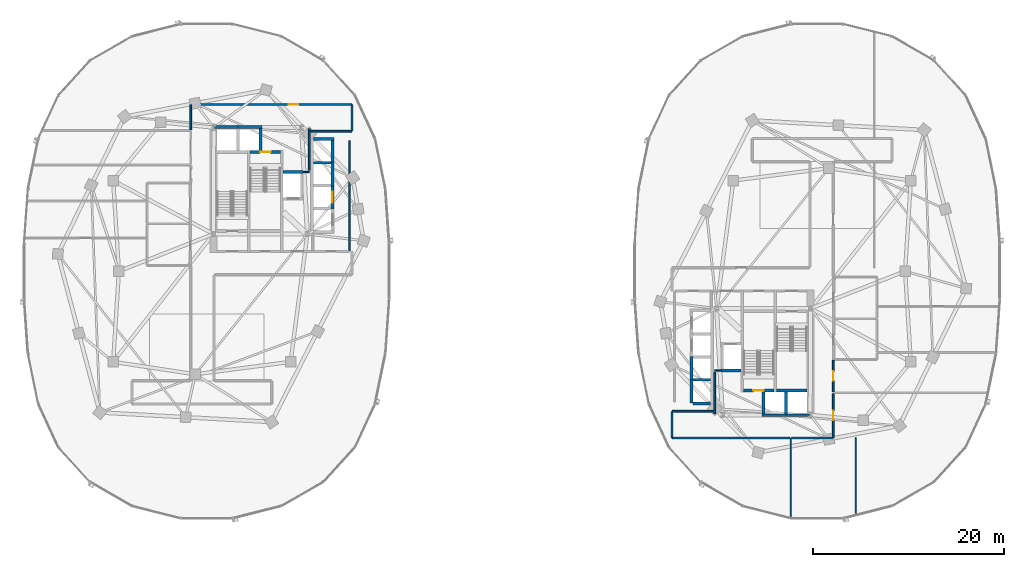
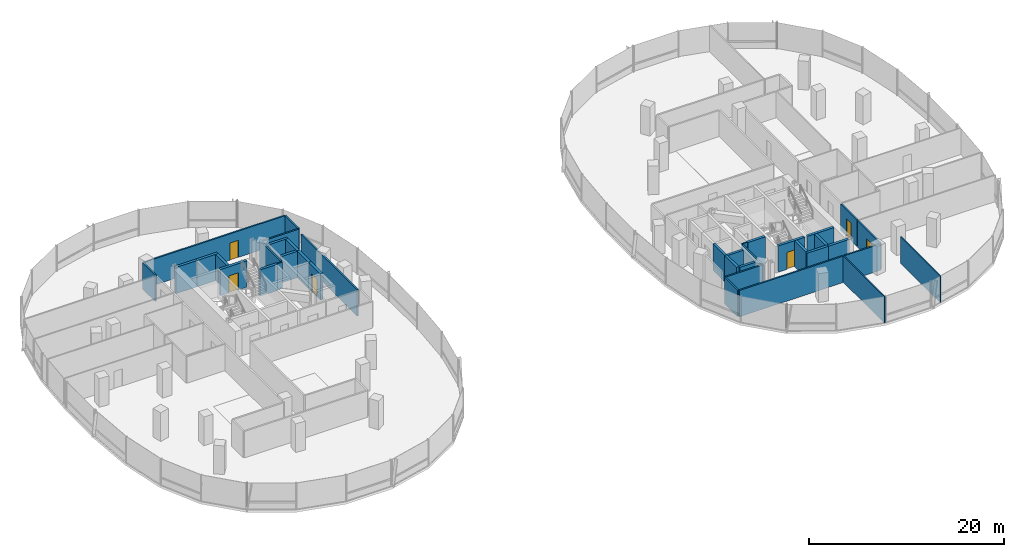
# One storey, part 12 of 21: 38 walls, 6 doors, 6 openings.
"""IFC4 building model written with IfcOpenShell, lengths in metres."""

from ifc_helpers import new_model, si_unit, direction, frame, frame_2d, origin, place, context, subcontext, project, spatial, rectangle, extrude, material, layer, layer_set, type_object, element, fill, save


model = new_model("IFC4")

# Units and contexts
model_context = context("Model", 3, precision=1e-05, world=origin(), true_north=direction((0.0, 1.0)))
body_context = subcontext(model_context, "Body", "Model", "MODEL_VIEW")
ifc_project = project(units=[si_unit("LENGTHUNIT", "METRE"), si_unit("AREAUNIT", "SQUARE_METRE"), si_unit("VOLUMEUNIT", "CUBIC_METRE"), si_unit("PLANEANGLEUNIT", "RADIAN"), si_unit("MASSUNIT", "GRAM", prefix="KILO"), si_unit("THERMODYNAMICTEMPERATUREUNIT", "KELVIN"), si_unit("POWERUNIT", "WATT")], contexts=[model_context])

# Site, building, storey
site_placement = place(None, origin())
site = spatial("IfcSite", under=ifc_project, at=site_placement, CompositionType="ELEMENT")
building_placement = place(site_placement, origin())
building = spatial("IfcBuilding", under=site, at=building_placement, Name="Cundina Bronze Exchange", CompositionType="ELEMENT")
storey_placement = place(building_placement, frame((0.0, 0.0, 81.800048828125)))
storey = spatial("IfcBuildingStorey", under=building, at=storey_placement, Name="L20", CompositionType="ELEMENT", Elevation=81.800048828125)

# Walls
ifc_material_1 = material(Name="Gypsum Fireboard Partition EI120")
ifc_layer_1 = layer(ifc_material_1, 0.179931640625, Name="Gypsum Fireboard Partition EI120")
ifc_layer_set_1 = layer_set([ifc_layer_1], Name="Gypsum Fireboard Partition EI120")
wall_type_1 = type_object("IfcWallType", Name="WL-COR-180", PredefinedType="PARTITIONING", material=ifc_layer_set_1)
wall_1_placement = place(storey_placement, frame((-17.02001953125, 2.169921875, 0.0), z_axis=(0.0, 0.0, 1.0), x_axis=(0.0, 1.0, 0.0)))
element("IfcWall", 1, at=wall_1_placement, inside=storey, type_object=wall_type_1, Name="L20 Interior Partition 001", PredefinedType="PARTITIONING", context=body_context, shape_type="SweptSolid", body=[
    extrude(rectangle(XDim=11.510009765625, YDim=0.179931640625, at=frame_2d((5.7548828125, 0.0))), origin(), (0.0, 0.0, 1.0), 3.300048828125),
])
wall_2_placement = place(storey_placement, frame((-21.25, 10.570068359375, 0.0), z_axis=(0.0, 0.0, 1.0), x_axis=(0.0, 1.0, 0.0)))
element("IfcWall", 2, at=wall_2_placement, inside=storey, type_object=wall_type_1, Name="L20 Interior Partition 004", PredefinedType="PARTITIONING", context=body_context, shape_type="SweptSolid", body=[
    extrude(rectangle(XDim=4.35986328125, YDim=0.179931640625, at=frame_2d((2.179931640625, 0.0))), origin(), (0.0, 0.0, 1.0), 3.300048828125),
])

# Wall, opening, door
wall_3_placement = place(storey_placement, frame((-16.821533203125, 17.469970703125, 0.0), z_axis=(0.0, 0.0, 1.0), x_axis=(-1.0, 0.0, 0.0)))
wall_3 = element("IfcWall", 3, at=wall_3_placement, inside=storey, type_object=wall_type_1, Name="L20 Interior Partition 018", PredefinedType="PARTITIONING", context=body_context, shape_type="SweptSolid", body=[
    extrude(rectangle(XDim=16.806884765625, YDim=0.179931640625, at=frame_2d((8.4033203125, 0.0))), origin(), (0.0, 0.0, 1.0), 3.300048828125),
])
opening_1_placement = place(wall_3_placement, frame((5.568603515625, 0.0, 0.0)))
opening_1 = element("IfcOpeningElement", 4, at=opening_1_placement, cuts=wall_3, Name="Opening DO-01", PredefinedType="OPENING", context=body_context, shape_type="SweptSolid", body=[
    extrude(rectangle(XDim=1.0, YDim=2.14990234375, at=frame_2d((0.5, 1.074951171875))), frame((0.0, 0.099853515625, 0.0), z_axis=(0.0, -1.0, 0.0), x_axis=(1.0, 0.0, 0.0)), (0.0, 0.0, 1.0), 0.199951171875),
])
ifc_material_2 = material(Name="Solid Andean Oak Timber Grade A", Category="wood")
door_type_1 = type_object("IfcDoorType", Name="DR-OFF-1000", OperationType="NOTDEFINED", PredefinedType="DOOR", material=ifc_material_2)
door_1_placement = place(opening_1_placement, origin())
door_1 = element("IfcDoor", 5, at=door_1_placement, inside=storey, type_object=door_type_1, Name="L20 Interior Door 018", OperationType="SINGLE_SWING_LEFT", OverallHeight=2.14990234375, OverallWidth=1.0, PredefinedType="DOOR", context=body_context, shape_type="SweptSolid", body=[
    extrude(rectangle(XDim=1.0, YDim=2.14990234375, at=frame_2d((0.5, 1.074951171875))), frame((0.0, 0.02490234375, 0.0), z_axis=(0.0, -1.0, 0.0), x_axis=(1.0, 0.0, 0.0)), (0.0, 0.0, 1.0), 0.050048828125),
])
fill(opening_1, door_1)

# Walls
wall_4_placement = place(storey_placement, frame((-21.178466796875, 14.679931640625, 0.0), z_axis=(0.0, 0.0, 1.0), x_axis=(1.0, 0.0, 0.0)))
element("IfcWall", 6, at=wall_4_placement, inside=storey, type_object=wall_type_1, Name="L20 Interior Partition 025", PredefinedType="PARTITIONING", context=body_context, shape_type="SweptSolid", body=[
    extrude(rectangle(XDim=4.35693359375, YDim=0.179931640625, at=frame_2d((2.178466796875, 0.0))), origin(), (0.0, 0.0, 1.0), 3.300048828125),
])
wall_5_placement = place(storey_placement, frame((-16.780029296875, 14.721435546875, 0.0), z_axis=(0.0, 0.0, 1.0), x_axis=(0.0, 1.0, 0.0)))
element("IfcWall", 7, at=wall_5_placement, inside=storey, type_object=wall_type_1, Name="L20 Interior Partition 026", PredefinedType="PARTITIONING", context=body_context, shape_type="SweptSolid", body=[
    extrude(rectangle(XDim=2.70703125, YDim=0.179931640625, at=frame_2d((1.353515625, 0.0))), origin(), (0.0, 0.0, 1.0), 3.300048828125),
])
wall_6_placement = place(storey_placement, frame((-33.669921875, 17.428466796875, 0.0), z_axis=(0.0, 0.0, 1.0), x_axis=(0.0, -1.0, 0.0)))
element("IfcWall", 8, at=wall_6_placement, inside=storey, type_object=wall_type_1, Name="L20 Interior Partition 027", PredefinedType="PARTITIONING", context=body_context, shape_type="SweptSolid", body=[
    extrude(rectangle(XDim=2.598388671875, YDim=0.179931640625, at=frame_2d((1.29931640625, 0.0))), origin(), (0.0, 0.0, 1.0), 3.300048828125),
])
wall_7_placement = place(storey_placement, frame((21.25, -14.929931640625, 0.0), z_axis=(0.0, 0.0, 1.0), x_axis=(0.0, 1.0, 0.0)))
element("IfcWall", 9, at=wall_7_placement, inside=storey, type_object=wall_type_1, Name="L20 Interior Partition 037", PredefinedType="PARTITIONING", context=body_context, shape_type="SweptSolid", body=[
    extrude(rectangle(XDim=4.35986328125, YDim=0.179931640625, at=frame_2d((2.179931640625, 0.0))), origin(), (0.0, 0.0, 1.0), 3.300048828125),
])

# Wall, opening, door
wall_8_placement = place(storey_placement, frame((33.669921875, -17.428466796875, 0.0), z_axis=(0.0, 0.0, 1.0), x_axis=(0.0, 1.0, 0.0)))
wall_8 = element("IfcWall", 10, at=wall_8_placement, inside=storey, type_object=wall_type_1, Name="L20 Interior Partition 054", PredefinedType="PARTITIONING", context=body_context, shape_type="SweptSolid", body=[
    extrude(rectangle(XDim=4.598388671875, YDim=0.179931640625, at=frame_2d((2.29931640625, 0.0))), origin(), (0.0, 0.0, 1.0), 3.300048828125),
])
opening_2_placement = place(wall_8_placement, frame((1.79931640625, 0.0, 0.0)))
opening_2 = element("IfcOpeningElement", 11, at=opening_2_placement, cuts=wall_8, Name="Opening DO-01", PredefinedType="OPENING", context=body_context, shape_type="SweptSolid", body=[
    extrude(rectangle(XDim=1.0, YDim=2.14990234375, at=frame_2d((0.5, 1.074951171875))), frame((0.0, 0.099853515625, 0.0), z_axis=(0.0, -1.0, 0.0), x_axis=(1.0, 0.0, 0.0)), (0.0, 0.0, 1.0), 0.199951171875),
])
door_2_placement = place(opening_2_placement, origin())
door_2 = element("IfcDoor", 12, at=door_2_placement, inside=storey, type_object=door_type_1, Name="L20 Interior Door 054", OperationType="SINGLE_SWING_RIGHT", OverallHeight=2.14990234375, OverallWidth=1.0, PredefinedType="DOOR", context=body_context, shape_type="SweptSolid", body=[
    extrude(rectangle(XDim=1.0, YDim=2.14990234375, at=frame_2d((0.5, 1.074951171875))), frame((0.0, 0.02490234375, 0.0), z_axis=(0.0, -1.0, 0.0), x_axis=(1.0, 0.0, 0.0)), (0.0, 0.0, 1.0), 0.050048828125),
])
fill(opening_2, door_2)

# Wall
wall_9_placement = place(storey_placement, frame((29.31005859375, -17.469970703125, 0.0), z_axis=(0.0, 0.0, 1.0), x_axis=(1.0, 0.0, 0.0)))
element("IfcWall", 13, at=wall_9_placement, inside=storey, type_object=wall_type_1, Name="L20 Interior Partition 055", PredefinedType="PARTITIONING", context=body_context, shape_type="SweptSolid", body=[
    extrude(rectangle(XDim=4.318359375, YDim=0.179931640625, at=frame_2d((2.1591796875, 0.0))), origin(), (0.0, 0.0, 1.0), 3.300048828125),
])

# Wall, opening, door
wall_10_placement = place(storey_placement, frame((33.669921875, -12.64990234375, 0.0), z_axis=(0.0, 0.0, 1.0), x_axis=(0.0, 1.0, 0.0)))
wall_10 = element("IfcWall", 14, at=wall_10_placement, inside=storey, type_object=wall_type_1, Name="L20 Interior Partition 056", PredefinedType="PARTITIONING", context=body_context, shape_type="SweptSolid", body=[
    extrude(rectangle(XDim=3.298583984375, YDim=0.179931640625, at=frame_2d((1.6494140625, 0.0))), origin(), (0.0, 0.0, 1.0), 3.300048828125),
])
opening_3_placement = place(wall_10_placement, frame((1.1494140625, 0.0, 0.0)))
opening_3 = element("IfcOpeningElement", 15, at=opening_3_placement, cuts=wall_10, Name="Opening DO-01", PredefinedType="OPENING", context=body_context, shape_type="SweptSolid", body=[
    extrude(rectangle(XDim=1.0, YDim=2.14990234375, at=frame_2d((0.5, 1.074951171875))), frame((0.0, 0.099853515625, 0.0), z_axis=(0.0, -1.0, 0.0), x_axis=(1.0, 0.0, 0.0)), (0.0, 0.0, 1.0), 0.199951171875),
])
door_3_placement = place(opening_3_placement, origin())
door_3 = element("IfcDoor", 16, at=door_3_placement, inside=storey, type_object=door_type_1, Name="L20 Interior Door 056", OperationType="SINGLE_SWING_RIGHT", OverallHeight=2.14990234375, OverallWidth=1.0, PredefinedType="DOOR", context=body_context, shape_type="SweptSolid", body=[
    extrude(rectangle(XDim=1.0, YDim=2.14990234375, at=frame_2d((0.5, 1.074951171875))), frame((0.0, 0.02490234375, 0.0), z_axis=(0.0, -1.0, 0.0), x_axis=(1.0, 0.0, 0.0)), (0.0, 0.0, 1.0), 0.050048828125),
])
fill(opening_3, door_3)

# Walls
wall_11_placement = place(storey_placement, frame((16.821533203125, -17.469970703125, 0.0), z_axis=(0.0, 0.0, 1.0), x_axis=(1.0, 0.0, 0.0)))
element("IfcWall", 17, at=wall_11_placement, inside=storey, type_object=wall_type_1, Name="L20 Interior Partition 059", PredefinedType="PARTITIONING", context=body_context, shape_type="SweptSolid", body=[
    extrude(rectangle(XDim=12.308349609375, YDim=0.179931640625, at=frame_2d((6.154296875, 0.0))), origin(), (0.0, 0.0, 1.0), 3.300048828125),
])
wall_12_placement = place(storey_placement, frame((21.178466796875, -14.679931640625, 0.0), z_axis=(0.0, 0.0, 1.0), x_axis=(-1.0, 0.0, 0.0)))
element("IfcWall", 18, at=wall_12_placement, inside=storey, type_object=wall_type_1, Name="L20 Interior Partition 062", PredefinedType="PARTITIONING", context=body_context, shape_type="SweptSolid", body=[
    extrude(rectangle(XDim=4.35693359375, YDim=0.179931640625, at=frame_2d((2.178466796875, 0.0))), origin(), (0.0, 0.0, 1.0), 3.300048828125),
])
wall_13_placement = place(storey_placement, frame((16.780029296875, -14.721435546875, 0.0), z_axis=(0.0, 0.0, 1.0), x_axis=(0.0, -1.0, 0.0)))
element("IfcWall", 19, at=wall_13_placement, inside=storey, type_object=wall_type_1, Name="L20 Interior Partition 063", PredefinedType="PARTITIONING", context=body_context, shape_type="SweptSolid", body=[
    extrude(rectangle(XDim=2.70703125, YDim=0.179931640625, at=frame_2d((1.353515625, 0.0))), origin(), (0.0, 0.0, 1.0), 3.300048828125),
])
ifc_material_3 = material(Name="Gypsum Acoustic Partition EI60")
ifc_layer_2 = layer(ifc_material_3, 0.125, Name="Gypsum Acoustic Partition EI60")
ifc_layer_set_2 = layer_set([ifc_layer_2], Name="Gypsum Acoustic Partition EI60")
wall_type_2 = type_object("IfcWallType", Name="WL-OFF-125", PredefinedType="PARTITIONING", material=ifc_layer_set_2)
wall_14_placement = place(storey_placement, frame((29.219970703125, -25.965576171875, 0.0), z_axis=(0.0, 0.0, 1.0), x_axis=(0.0, 1.0, 0.0)))
element("IfcWall", 20, at=wall_14_placement, inside=storey, type_object=wall_type_2, Name="L20 Interior Partition 052", PredefinedType="PARTITIONING", context=body_context, shape_type="SweptSolid", body=[
    extrude(rectangle(XDim=8.465576171875, YDim=0.125, at=frame_2d((4.23291015625, 0.0))), origin(), (0.0, 0.0, 1.0), 3.300048828125),
])
wall_15_placement = place(storey_placement, frame((36.02001953125, -25.652099609375, 0.0), z_axis=(0.0, 0.0, 1.0), x_axis=(0.0, 1.0, 0.0)))
element("IfcWall", 21, at=wall_15_placement, inside=storey, type_object=wall_type_2, Name="L20 Interior Partition 053", PredefinedType="PARTITIONING", context=body_context, shape_type="SweptSolid", body=[
    extrude(rectangle(XDim=8.18212890625, YDim=0.125, at=frame_2d((4.091064453125, 0.0))), origin(), (0.0, 0.0, 1.0), 3.300048828125),
])

# Wall, opening, door
ifc_material_4 = material(Name="Concrete C50/60", Category="concrete")
ifc_layer_3 = layer(ifc_material_4, 0.300048828125, Name="Concrete C50/60", Category="concrete")
ifc_layer_set_3 = layer_set([ifc_layer_3], Name="Concrete C50/60")
wall_type_3 = type_object("IfcWallType", Name="WL-SHFT-300", PredefinedType="SHEAR", material=ifc_layer_set_3)
wall_16_placement = place(storey_placement, frame((-27.43994140625, 12.5, 0.0), z_axis=(0.0, 0.0, 1.0), x_axis=(1.0, 0.0, 0.0)))
wall_16 = element("IfcWall", 22, at=wall_16_placement, inside=storey, type_object=wall_type_3, Name="L20 Stair W2 Landing Wall", PredefinedType="SHEAR", context=body_context, shape_type="SweptSolid", body=[
    extrude(rectangle(XDim=3.159912109375, YDim=0.300048828125, at=frame_2d((1.580078125, 0.0))), origin(), (0.0, 0.0, 1.0), 3.300048828125),
])
opening_4_placement = place(wall_16_placement, frame((1.030029296875, 0.0, 0.0)))
opening_4 = element("IfcOpeningElement", 23, at=opening_4_placement, cuts=wall_16, Name="Opening DS-01", PredefinedType="OPENING", context=body_context, shape_type="SweptSolid", body=[
    extrude(rectangle(XDim=1.10009765625, YDim=2.14990234375, at=frame_2d((0.550048828125, 1.074951171875))), frame((0.0, 0.159912109375, 0.0), z_axis=(0.0, -1.0, 0.0), x_axis=(1.0, 0.0, 0.0)), (0.0, 0.0, 1.0), 0.320068359375),
])
ifc_material_5 = material(Name="Steel ASTM A36 Painted", Category="steel")
door_type_2 = type_object("IfcDoorType", Name="DR-STR-1100", OperationType="NOTDEFINED", PredefinedType="DOOR", material=ifc_material_5)
door_4_placement = place(opening_4_placement, origin())
door_4 = element("IfcDoor", 24, at=door_4_placement, inside=storey, type_object=door_type_2, Name="L20 Smokeproof Stair W2 Door", OperationType="SINGLE_SWING_LEFT", OverallHeight=2.14990234375, OverallWidth=1.10009765625, PredefinedType="DOOR", context=body_context, shape_type="SweptSolid", body=[
    extrude(rectangle(XDim=1.10009765625, YDim=2.14990234375, at=frame_2d((0.550048828125, 1.074951171875))), frame((0.0, 0.02490234375, 0.0), z_axis=(0.0, -1.0, 0.0), x_axis=(1.0, 0.0, 0.0)), (0.0, 0.0, 1.0), 0.050048828125),
])
fill(opening_4, door_4)

# Walls
wall_17_placement = place(storey_placement, frame((-23.97998046875, 10.39990234375, 0.0), z_axis=(0.0, 0.0, 1.0), x_axis=(1.0, 0.0, 0.0)))
element("IfcWall", 25, at=wall_17_placement, inside=storey, type_object=wall_type_3, Name="L20 FFL-W Hoistway Back Wall", PredefinedType="SHEAR", context=body_context, shape_type="SweptSolid", body=[
    extrude(rectangle(XDim=2.10009765625, YDim=0.300048828125, at=frame_2d((1.050048828125, 0.0))), origin(), (0.0, 0.0, 1.0), 3.300048828125),
])
for number, where, z_axis, x_axis, name in (
    (26, (-31.199951171875, 15.10009765625, 0.0), (0.0, 0.0, 1.0), (1.0, 0.0, 0.0), "L20 PH-W1 Hoistway Front Wall"),
    (27, (-28.699951171875, 15.10009765625, 0.0), (0.0, 0.0, 1.0), (1.0, 0.0, 0.0), "L20 PH-W2 Hoistway Front Wall"),
):
    element("IfcWall", number, at=place(storey_placement, frame(where, z_axis=z_axis, x_axis=x_axis)), inside=storey, type_object=wall_type_3, Name=name, PredefinedType="SHEAR", context=body_context, shape_type="SweptSolid", body=[
        extrude(rectangle(XDim=2.5, YDim=0.300048828125, at=frame_2d((1.25, 0.0))), origin(), (0.0, 0.0, 1.0), 3.300048828125),
    ])
wall_18_placement = place(storey_placement, frame((-26.35009765625, 12.64990234375, 0.0), z_axis=(0.0, 0.0, 1.0), x_axis=(0.0, 1.0, 0.0)))
element("IfcWall", 28, at=wall_18_placement, inside=storey, type_object=wall_type_3, Name="L20 PH-W2 Hoistway Divider Wall", PredefinedType="SHEAR", context=body_context, shape_type="SweptSolid", body=[
    extrude(rectangle(XDim=2.300048828125, YDim=0.300048828125, at=frame_2d((1.14990234375, 0.0))), origin(), (0.0, 0.0, 1.0), 3.300048828125),
])
wall_19_placement = place(storey_placement, frame((-20.800048828125, 13.85009765625, 0.0), z_axis=(0.0, 0.0, 1.0), x_axis=(1.0, 0.0, 0.0)))
element("IfcWall", 29, at=wall_19_placement, inside=storey, type_object=wall_type_3, Name="L20 W Passenger Bank North Cap Wall", PredefinedType="SHEAR", context=body_context, shape_type="SweptSolid", body=[
    extrude(rectangle(XDim=2.150146484375, YDim=0.300048828125, at=frame_2d((1.0751953125, 0.0))), origin(), (0.0, 0.0, 1.0), 3.300048828125),
])
wall_20_placement = place(storey_placement, frame((-20.800048828125, 11.375, 0.0), z_axis=(0.0, 0.0, 1.0), x_axis=(1.0, 0.0, 0.0)))
element("IfcWall", 30, at=wall_20_placement, inside=storey, type_object=wall_type_3, Name="L20 W Passenger Hoistway Divider 3", PredefinedType="SHEAR", context=body_context, shape_type="SweptSolid", body=[
    extrude(rectangle(XDim=1.85009765625, YDim=0.300048828125, at=frame_2d((0.925048828125, 0.0))), origin(), (0.0, 0.0, 1.0), 3.300048828125),
])

# Wall, opening, door
wall_21_placement = place(storey_placement, frame((-18.800048828125, 6.530029296875, 0.0), z_axis=(0.0, 0.0, 1.0), x_axis=(0.0, 1.0, 0.0)))
wall_21 = element("IfcWall", 31, at=wall_21_placement, inside=storey, type_object=wall_type_3, Name="L20 PL-W1 Hoistway Front Wall", PredefinedType="SHEAR", context=body_context, shape_type="SweptSolid", body=[
    extrude(rectangle(XDim=2.489990234375, YDim=0.300048828125, at=frame_2d((1.2451171875, 0.0))), origin(), (0.0, 0.0, 1.0), 3.300048828125),
])
opening_5_placement = place(wall_21_placement, frame((0.669921875, 0.0, 0.0)))
opening_5 = element("IfcOpeningElement", 32, at=opening_5_placement, cuts=wall_21, Name="Opening LD-01", PredefinedType="OPENING", context=body_context, shape_type="SweptSolid", body=[
    extrude(rectangle(XDim=1.14990234375, YDim=2.199951171875, at=frame_2d((0.574951171875, 1.10009765625))), frame((0.0, 0.159912109375, 0.0), z_axis=(0.0, -1.0, 0.0), x_axis=(1.0, 0.0, 0.0)), (0.0, 0.0, 1.0), 0.320068359375),
])
door_type_3 = type_object("IfcDoorType", Name="DR-LND-1150", OperationType="NOTDEFINED", PredefinedType="TRAPDOOR", material=ifc_material_5)
door_5_placement = place(opening_5_placement, origin())
door_5 = element("IfcDoor", 33, at=door_5_placement, inside=storey, type_object=door_type_3, Name="L20 PL-W1 Sliding Landing Door", OperationType="SLIDING_TO_LEFT", OverallHeight=2.199951171875, OverallWidth=1.14990234375, PredefinedType="TRAPDOOR", context=body_context, shape_type="SweptSolid", body=[
    extrude(rectangle(XDim=1.14990234375, YDim=2.199951171875, at=frame_2d((0.574951171875, 1.10009765625))), frame((0.0, 0.02490234375, 0.0), z_axis=(0.0, -1.0, 0.0), x_axis=(1.0, 0.0, 0.0)), (0.0, 0.0, 1.0), 0.050048828125),
])
fill(opening_5, door_5)

# Walls
for number, where, z_axis, x_axis, name in (
    (34, (-18.800048828125, 8.929931640625, 0.0), (0.0, 0.0, 1.0), (0.0, 1.0, 0.0), "L20 PM-W2 Hoistway Front Wall"),
    (35, (-18.800048828125, 11.330078125, 0.0), (0.0, 0.0, 1.0), (0.0, 1.0, 0.0), "L20 PM-W1 Hoistway Front Wall"),
):
    element("IfcWall", number, at=place(storey_placement, frame(where, z_axis=z_axis, x_axis=x_axis)), inside=storey, type_object=wall_type_3, Name=name, PredefinedType="SHEAR", context=body_context, shape_type="SweptSolid", body=[
        extrude(rectangle(XDim=2.489990234375, YDim=0.300048828125, at=frame_2d((1.2451171875, 0.0))), origin(), (0.0, 0.0, 1.0), 3.300048828125),
    ])
wall_22_placement = place(storey_placement, frame((27.739990234375, -12.5, 0.0), z_axis=(0.0, 0.0, 1.0), x_axis=(1.0, 0.0, 0.0)))
element("IfcWall", 36, at=wall_22_placement, inside=storey, type_object=wall_type_3, Name="L20 Stair E1 Far Shaft Wall", PredefinedType="SHEAR", context=body_context, shape_type="SweptSolid", body=[
    extrude(rectangle(XDim=3.159912109375, YDim=0.300048828125, at=frame_2d((1.580078125, 0.0))), origin(), (0.0, 0.0, 1.0), 3.300048828125),
])

# Wall, opening, door
wall_23_placement = place(storey_placement, frame((24.280029296875, -12.5, 0.0), z_axis=(0.0, 0.0, 1.0), x_axis=(1.0, 0.0, 0.0)))
wall_23 = element("IfcWall", 37, at=wall_23_placement, inside=storey, type_object=wall_type_3, Name="L20 Stair E2 Landing Wall", PredefinedType="SHEAR", context=body_context, shape_type="SweptSolid", body=[
    extrude(rectangle(XDim=3.159912109375, YDim=0.300048828125, at=frame_2d((1.580078125, 0.0))), origin(), (0.0, 0.0, 1.0), 3.300048828125),
])
opening_6_placement = place(wall_23_placement, frame((1.030029296875, 0.0, 0.0)))
opening_6 = element("IfcOpeningElement", 38, at=opening_6_placement, cuts=wall_23, Name="Opening DS-01", PredefinedType="OPENING", context=body_context, shape_type="SweptSolid", body=[
    extrude(rectangle(XDim=1.10009765625, YDim=2.14990234375, at=frame_2d((0.550048828125, 1.074951171875))), frame((0.0, 0.159912109375, 0.0), z_axis=(0.0, -1.0, 0.0), x_axis=(1.0, 0.0, 0.0)), (0.0, 0.0, 1.0), 0.320068359375),
])
door_6_placement = place(opening_6_placement, origin())
door_6 = element("IfcDoor", 39, at=door_6_placement, inside=storey, type_object=door_type_2, Name="L20 Smokeproof Stair E2 Door", OperationType="SINGLE_SWING_RIGHT", OverallHeight=2.14990234375, OverallWidth=1.10009765625, PredefinedType="DOOR", context=body_context, shape_type="SweptSolid", body=[
    extrude(rectangle(XDim=1.10009765625, YDim=2.14990234375, at=frame_2d((0.550048828125, 1.074951171875))), frame((0.0, 0.02490234375, 0.0), z_axis=(0.0, -1.0, 0.0), x_axis=(1.0, 0.0, 0.0)), (0.0, 0.0, 1.0), 0.050048828125),
])
fill(opening_6, door_6)

# Walls
wall_24_placement = place(storey_placement, frame((21.8798828125, -10.39990234375, 0.0), z_axis=(0.0, 0.0, 1.0), x_axis=(1.0, 0.0, 0.0)))
element("IfcWall", 40, at=wall_24_placement, inside=storey, type_object=wall_type_3, Name="L20 FFL-E Hoistway Back Wall", PredefinedType="SHEAR", context=body_context, shape_type="SweptSolid", body=[
    extrude(rectangle(XDim=2.10009765625, YDim=0.300048828125, at=frame_2d((1.050048828125, 0.0))), origin(), (0.0, 0.0, 1.0), 3.300048828125),
])
wall_25_placement = place(storey_placement, frame((28.699951171875, -15.10009765625, 0.0), z_axis=(0.0, 0.0, 1.0), x_axis=(1.0, 0.0, 0.0)))
element("IfcWall", 41, at=wall_25_placement, inside=storey, type_object=wall_type_3, Name="L20 PH-E1 Hoistway Front Wall", PredefinedType="SHEAR", context=body_context, shape_type="SweptSolid", body=[
    extrude(rectangle(XDim=2.5, YDim=0.300048828125, at=frame_2d((1.25, 0.0))), origin(), (0.0, 0.0, 1.0), 3.300048828125),
])
wall_26_placement = place(storey_placement, frame((28.699951171875, -14.949951171875, 0.0), z_axis=(0.0, 0.0, 1.0), x_axis=(0.0, 1.0, 0.0)))
element("IfcWall", 42, at=wall_26_placement, inside=storey, type_object=wall_type_3, Name="L20 PH-E1 Hoistway Divider Wall", PredefinedType="SHEAR", context=body_context, shape_type="SweptSolid", body=[
    extrude(rectangle(XDim=2.300048828125, YDim=0.300048828125, at=frame_2d((1.14990234375, 0.0))), origin(), (0.0, 0.0, 1.0), 3.300048828125),
])
wall_27_placement = place(storey_placement, frame((26.199951171875, -15.10009765625, 0.0), z_axis=(0.0, 0.0, 1.0), x_axis=(1.0, 0.0, 0.0)))
element("IfcWall", 43, at=wall_27_placement, inside=storey, type_object=wall_type_3, Name="L20 PH-E2 Hoistway Front Wall", PredefinedType="SHEAR", context=body_context, shape_type="SweptSolid", body=[
    extrude(rectangle(XDim=2.5, YDim=0.300048828125, at=frame_2d((1.25, 0.0))), origin(), (0.0, 0.0, 1.0), 3.300048828125),
])
wall_28_placement = place(storey_placement, frame((26.35009765625, -14.949951171875, 0.0), z_axis=(0.0, 0.0, 1.0), x_axis=(0.0, 1.0, 0.0)))
element("IfcWall", 44, at=wall_28_placement, inside=storey, type_object=wall_type_3, Name="L20 PH-E2 Hoistway Divider Wall", PredefinedType="SHEAR", context=body_context, shape_type="SweptSolid", body=[
    extrude(rectangle(XDim=2.300048828125, YDim=0.300048828125, at=frame_2d((1.14990234375, 0.0))), origin(), (0.0, 0.0, 1.0), 3.300048828125),
])
for number, where, z_axis, x_axis, name in (
    (45, (18.949951171875, -13.85009765625, 0.0), (0.0, 0.0, 1.0), (1.0, 0.0, 0.0), "L20 E Passenger Bank South Cap Wall"),
    (46, (18.949951171875, -11.375, 0.0), (0.0, 0.0, 1.0), (1.0, 0.0, 0.0), "L20 E Passenger Hoistway Divider 1"),
):
    element("IfcWall", number, at=place(storey_placement, frame(where, z_axis=z_axis, x_axis=x_axis)), inside=storey, type_object=wall_type_3, Name=name, PredefinedType="SHEAR", context=body_context, shape_type="SweptSolid", body=[
        extrude(rectangle(XDim=1.85009765625, YDim=0.300048828125, at=frame_2d((0.925048828125, 0.0))), origin(), (0.0, 0.0, 1.0), 3.300048828125),
    ])
for number, where, z_axis, x_axis, name in (
    (47, (18.800048828125, -13.820068359375, 0.0), (0.0, 0.0, 1.0), (0.0, 1.0, 0.0), "L20 PM-E1 Hoistway Front Wall"),
    (48, (18.800048828125, -11.419921875, 0.0), (0.0, 0.0, 1.0), (0.0, 1.0, 0.0), "L20 PM-E2 Hoistway Front Wall"),
):
    element("IfcWall", number, at=place(storey_placement, frame(where, z_axis=z_axis, x_axis=x_axis)), inside=storey, type_object=wall_type_3, Name=name, PredefinedType="SHEAR", context=body_context, shape_type="SweptSolid", body=[
        extrude(rectangle(XDim=2.489990234375, YDim=0.300048828125, at=frame_2d((1.2451171875, 0.0))), origin(), (0.0, 0.0, 1.0), 3.300048828125),
    ])
ifc_material_6 = material(Name="Moisture-Resistant Masonry Block Grade M15", Category="masonry")
ifc_layer_4 = layer(ifc_material_6, 0.139892578125, Name="Moisture-Resistant Masonry Block Grade M15", Category="masonry")
ifc_layer_set_4 = layer_set([ifc_layer_4], Name="Moisture-Resistant Masonry Block Grade M15")
wall_type_4 = type_object("IfcWallType", Name="WL-WET-140", PredefinedType="PARTITIONING", material=ifc_layer_set_4)
for number, where, z_axis, x_axis, name in (
    (49, (-21.860107421875, 10.39990234375, 0.0), (0.0, 0.0, 1.0), (1.0, 0.0, 0.0), "L20 Interior Partition 003"),
    (50, (21.27001953125, -10.39990234375, 0.0), (0.0, 0.0, 1.0), (1.0, 0.0, 0.0), "L20 Interior Partition 036"),
):
    element("IfcWall", number, at=place(storey_placement, frame(where, z_axis=z_axis, x_axis=x_axis)), inside=storey, type_object=wall_type_4, Name=name, PredefinedType="PARTITIONING", context=body_context, shape_type="SweptSolid", body=[
        extrude(rectangle(XDim=0.590087890625, YDim=0.139892578125, at=frame_2d((0.294921875, 0.0))), origin(), (0.0, 0.0, 1.0), 3.300048828125),
    ])

save(model, "model.ifc")
